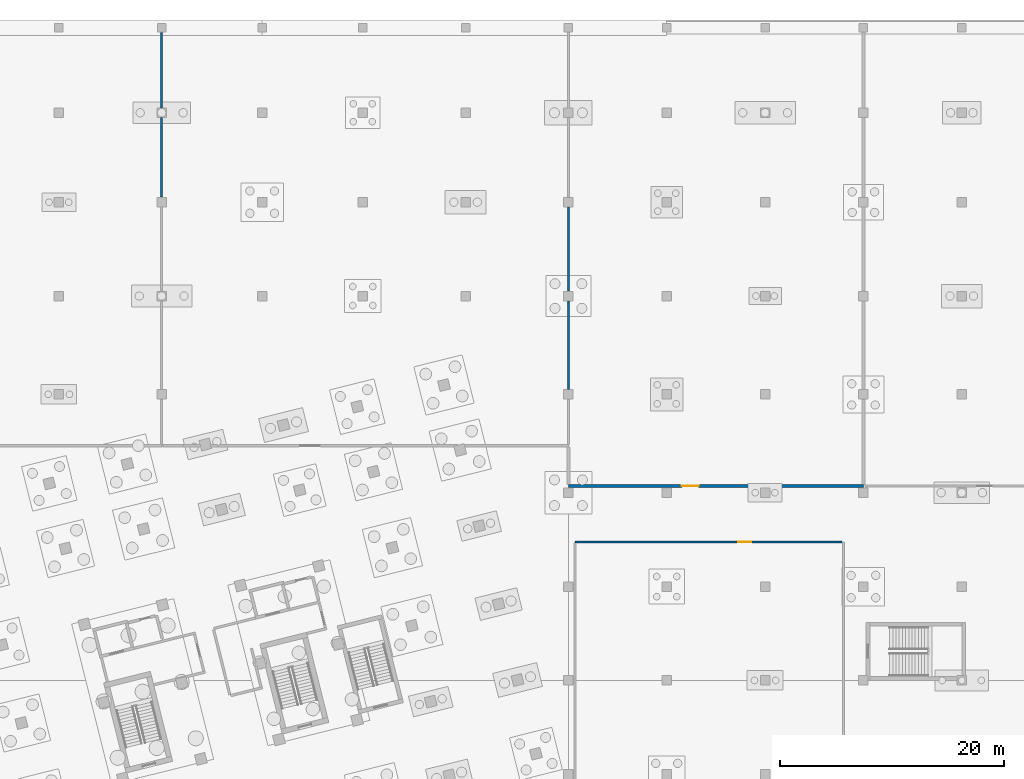
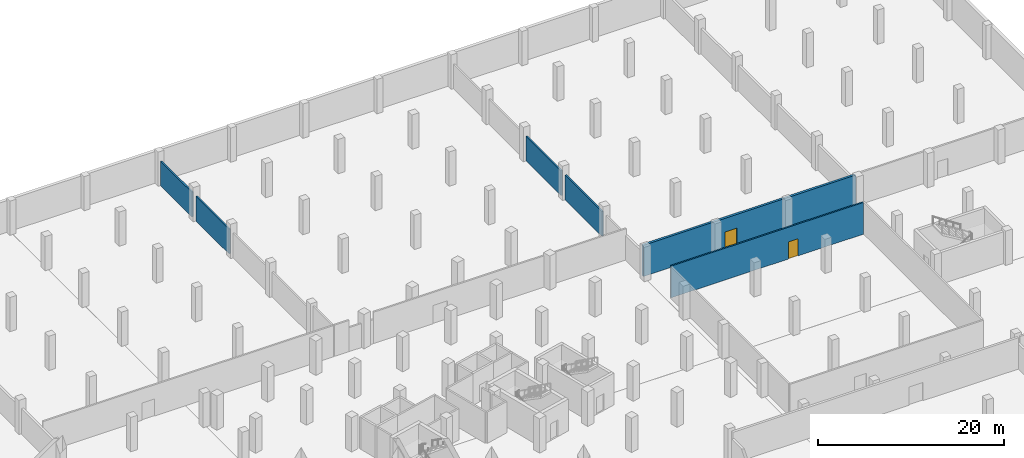
# One storey, part 21 of 29: 6 walls, 2 doors, 2 openings.
"""IFC4 building model written with IfcOpenShell, lengths in metres."""

from ifc_helpers import new_model, si_unit, direction, frame, frame_2d, origin, place, context, subcontext, project, spatial, rectangle, extrude, material, layer, layer_set, type_object, element, fill, save


model = new_model("IFC4")

# Units and contexts
model_context = context("Model", 3, precision=1e-05, world=origin(), true_north=direction((0.0, 1.0)))
body_context = subcontext(model_context, "Body", "Model", "MODEL_VIEW")
ifc_project = project(units=[si_unit("LENGTHUNIT", "METRE"), si_unit("AREAUNIT", "SQUARE_METRE"), si_unit("VOLUMEUNIT", "CUBIC_METRE"), si_unit("PLANEANGLEUNIT", "RADIAN"), si_unit("MASSUNIT", "GRAM", prefix="KILO")], contexts=[model_context])

# Site, building, storey
site_placement = place(None, origin())
site = spatial("IfcSite", under=ifc_project, at=site_placement, CompositionType="ELEMENT")
building_placement = place(site_placement, origin())
building = spatial("IfcBuilding", under=site, at=building_placement, Name="Meriwether Solvik Hall", CompositionType="ELEMENT")
storey_placement = place(building_placement, frame((0.0, 0.0, -9.0)))
storey = spatial("IfcBuildingStorey", under=building, at=storey_placement, Name="B02", CompositionType="ELEMENT", Elevation=-9.0)

# Walls
ifc_material_1 = material(Name="Grouted Concrete Masonry Unit Block", Category="masonry")
ifc_layer_1 = layer(ifc_material_1, 0.18994140625)
ifc_layer_set_1 = layer_set([ifc_layer_1], Name="Grouted Concrete Masonry Unit Block")
wall_type_1 = type_object("IfcWallType", Name="WALL-CMU-190", PredefinedType="STANDARD", material=ifc_layer_set_1)
wall_1_placement = place(storey_placement, frame((77.800048828125, 101.639892578125, 0.0), z_axis=(0.0, 0.0, 1.0), x_axis=(0.0, 1.0, 0.0)))
element("IfcWall", 1, at=wall_1_placement, inside=storey, type_object=wall_type_1, Name="B02 Interior Partition grey_wt_e_s4", PredefinedType="STANDARD", context=body_context, shape_type="SweptSolid", body=[
    extrude(rectangle(XDim=7.1201171875, YDim=0.18994140625, at=frame_2d((3.56005859375, 0.0))), origin(), (0.0, 0.0, 1.0), 3.25),
])
wall_2_placement = place(storey_placement, frame((77.800048828125, 109.639892578125, 0.0), z_axis=(0.0, 0.0, 1.0), x_axis=(0.0, 1.0, 0.0)))
element("IfcWall", 2, at=wall_2_placement, inside=storey, type_object=wall_type_1, Name="B02 Interior Partition grey_wt_e_s5", PredefinedType="STANDARD", context=body_context, shape_type="SweptSolid", body=[
    extrude(rectangle(XDim=6.72021484375, YDim=0.18994140625, at=frame_2d((3.360107421875, 0.0))), origin(), (0.0, 0.0, 1.0), 3.25),
])
wall_3_placement = place(storey_placement, frame((114.199951171875, 84.43994140625, 0.0), z_axis=(0.0, 0.0, 1.0), x_axis=(0.0, 1.0, 0.0)))
element("IfcWall", 3, at=wall_3_placement, inside=storey, type_object=wall_type_1, Name="B02 Interior Partition mep_stg_e_s2", PredefinedType="STANDARD", context=body_context, shape_type="SweptSolid", body=[
    extrude(rectangle(XDim=7.920166015625, YDim=0.18994140625, at=frame_2d((3.9599609375, 0.0))), origin(), (0.0, 0.0, 1.0), 3.25),
])
wall_4_placement = place(storey_placement, frame((114.199951171875, 93.239990234375, 0.0), z_axis=(0.0, 0.0, 1.0), x_axis=(0.0, 1.0, 0.0)))
element("IfcWall", 4, at=wall_4_placement, inside=storey, type_object=wall_type_1, Name="B02 Interior Partition mep_stg_e_s3", PredefinedType="STANDARD", context=body_context, shape_type="SweptSolid", body=[
    extrude(rectangle(XDim=7.52001953125, YDim=0.18994140625, at=frame_2d((3.760009765625, 0.0))), origin(), (0.0, 0.0, 1.0), 3.25),
])

# Wall, opening, door
wall_5_placement = place(storey_placement, frame((138.679931640625, 70.800048828125, 0.0), z_axis=(0.0, 0.0, 1.0), x_axis=(-1.0, 0.0, 0.0)))
wall_5 = element("IfcWall", 5, at=wall_5_placement, inside=storey, type_object=wall_type_1, Name="B02 Interior Partition east_mnt_n", PredefinedType="STANDARD", context=body_context, shape_type="SweptSolid", body=[
    extrude(rectangle(XDim=23.8798828125, YDim=0.18994140625, at=frame_2d((11.93994140625, 0.0))), origin(), (0.0, 0.0, 1.0), 4.169921875),
])
opening_1_placement = place(wall_5_placement, frame((8.101806640625, 0.0, 0.0)))
opening_1 = element("IfcOpeningElement", 6, at=opening_1_placement, cuts=wall_5, Name="Opening D-141", PredefinedType="OPENING", context=body_context, shape_type="SweptSolid", body=[
    extrude(rectangle(XDim=1.199951171875, YDim=2.25, at=frame_2d((0.60009765625, 1.125))), frame((0.0, 0.10693359375, 0.0), z_axis=(0.0, -1.0, 0.0), x_axis=(1.0, 0.0, 0.0)), (0.0, 0.0, 1.0), 0.2138671875),
])
ifc_material_2 = material(Name="Steel A36 Galvanised", Category="steel")
door_type_1 = type_object("IfcDoorType", Name="DR-FD60-1200L", OperationType="SINGLE_SWING_LEFT", PredefinedType="DOOR", material=ifc_material_2)
door_1_placement = place(opening_1_placement, origin())
door_1 = element("IfcDoor", 7, at=door_1_placement, inside=storey, type_object=door_type_1, Name="Central Facilities Maintenance Plant Shop Door 1", OperationType="SINGLE_SWING_LEFT", OverallHeight=2.25, OverallWidth=1.199951171875, PredefinedType="DOOR", context=body_context, shape_type="SweptSolid", body=[
    extrude(rectangle(XDim=1.199951171875, YDim=2.25, at=frame_2d((0.60009765625, 1.125))), frame((0.0, 0.02490234375, 0.0), z_axis=(0.0, -1.0, 0.0), x_axis=(1.0, 0.0, 0.0)), (0.0, 0.0, 1.0), 0.050048828125),
])
fill(opening_1, door_1)

ifc_material_3 = material(Name="Concrete C35/45", Category="concrete")
ifc_layer_2 = layer(ifc_material_3, 0.280029296875)
ifc_layer_set_2 = layer_set([ifc_layer_2], Name="Concrete C35/45")
wall_type_2 = type_object("IfcWallType", Name="WALL-PLANT-280", PredefinedType="STANDARD", material=ifc_layer_set_2)
wall_6_placement = place(storey_placement, frame((114.199951171875, 75.800048828125, 0.0), z_axis=(0.0, 0.0, 1.0), x_axis=(1.0, 0.0, 0.0)))
wall_6 = element("IfcWall", 8, at=wall_6_placement, inside=storey, type_object=wall_type_2, Name="B02 Interior Partition tes_vlt_s", PredefinedType="STANDARD", context=body_context, shape_type="SweptSolid", body=[
    extrude(rectangle(XDim=26.400146484375, YDim=0.280029296875, at=frame_2d((13.2001953125, 0.0))), origin(), (0.0, 0.0, 1.0), 4.10009765625),
])
opening_2_placement = place(wall_6_placement, frame((10.1572265625, 0.0, 0.0)))
opening_2 = element("IfcOpeningElement", 9, at=opening_2_placement, cuts=wall_6, Name="Opening D-113", PredefinedType="OPENING", context=body_context, shape_type="SweptSolid", body=[
    extrude(rectangle(XDim=1.5, YDim=2.300048828125, at=frame_2d((0.75, 1.14990234375))), frame((0.0, 0.15185546875, 0.0), z_axis=(0.0, -1.0, 0.0), x_axis=(1.0, 0.0, 0.0)), (0.0, 0.0, 1.0), 0.303955078125),
])
ifc_material_4 = material(Name="Steel A36 Galvanised", Category="steel")
door_type_2 = type_object("IfcDoorType", Name="DR-FD60-1500", OperationType="DOUBLE_DOOR_SINGLE_SWING", PredefinedType="DOOR", material=ifc_material_4)
door_2_placement = place(opening_2_placement, origin())
door_2 = element("IfcDoor", 10, at=door_2_placement, inside=storey, type_object=door_type_2, Name="Thermal Energy Storage Tank Plant Door", OperationType="DOUBLE_DOOR_SINGLE_SWING", OverallHeight=2.300048828125, OverallWidth=1.5, PredefinedType="DOOR", context=body_context, shape_type="SweptSolid", body=[
    extrude(rectangle(XDim=1.5, YDim=2.300048828125, at=frame_2d((0.75, 1.14990234375))), frame((0.0, 0.02490234375, 0.0), z_axis=(0.0, -1.0, 0.0), x_axis=(1.0, 0.0, 0.0)), (0.0, 0.0, 1.0), 0.050048828125),
])
fill(opening_2, door_2)

save(model, "model.ifc")
